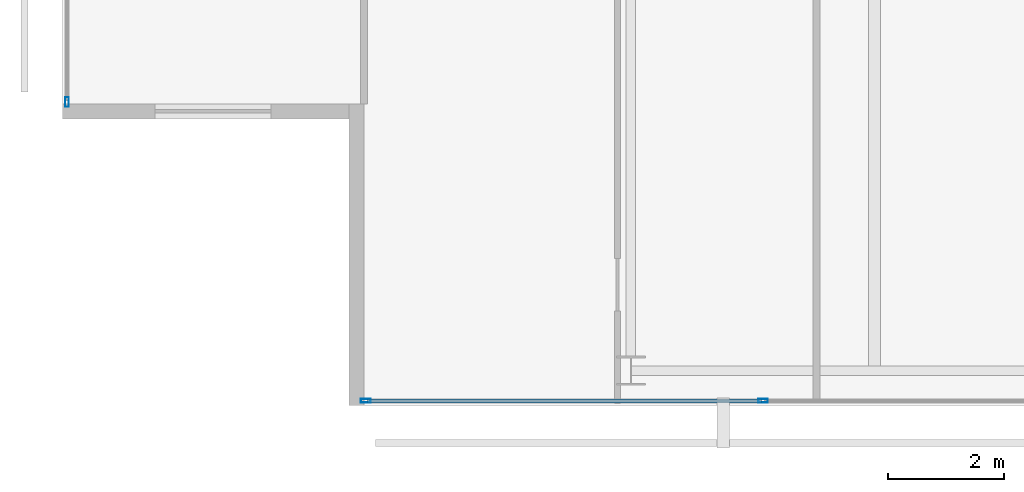
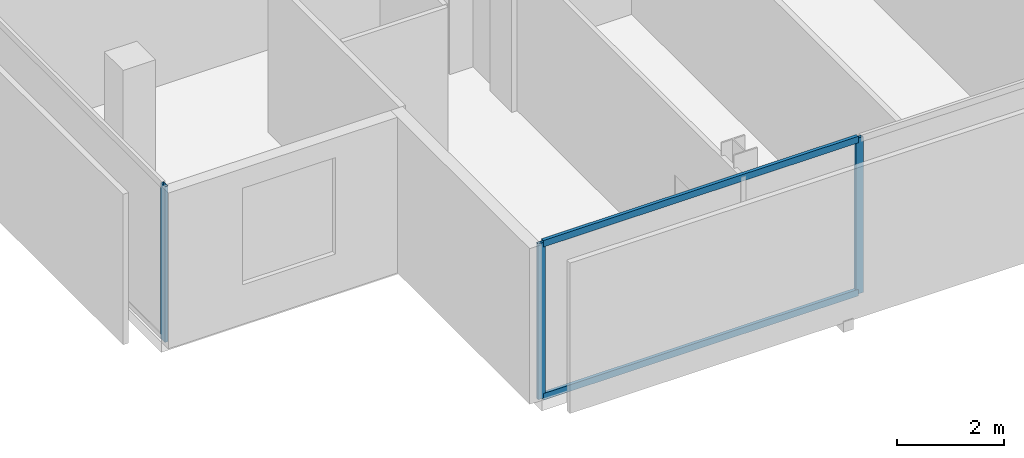
# One storey, part 2 of 26: 5 members, 2 elements without a shape of their own.
"""IFC4 building model written with IfcOpenShell, lengths in metres."""

from ifc_helpers import new_model, si_unit, direction, frame, origin, origin_2d, place, context, subcontext, project, spatial, hollow_rectangle, extrude, material, layer, layer_set, material_profile, profile_set, type_object, element, aggregate, save


model = new_model("IFC4")

# Units and contexts
model_context = context("Model", 3, precision=1e-05, world=origin(), true_north=direction((0.0, 1.0)))
body_context = subcontext(model_context, "Body", "Model", "MODEL_VIEW")
ifc_project = project(units=[si_unit("LENGTHUNIT", "METRE"), si_unit("AREAUNIT", "SQUARE_METRE"), si_unit("VOLUMEUNIT", "CUBIC_METRE"), si_unit("PLANEANGLEUNIT", "RADIAN"), si_unit("MASSUNIT", "GRAM", prefix="KILO")], contexts=[model_context])

# Site, building, storey
site_placement = place(None, origin())
site = spatial("IfcSite", under=ifc_project, at=site_placement, CompositionType="ELEMENT")
building_placement = place(site_placement, origin())
building = spatial("IfcBuilding", under=site, at=building_placement, Name="Maruvema Waterfront Hotel and Observation Tower", CompositionType="ELEMENT")
storey_placement = place(building_placement, frame((0.0, 0.0, 312.550048828125)))
storey = spatial("IfcBuildingStorey", under=building, at=storey_placement, Name="L77", CompositionType="ELEMENT", Elevation=312.550048828125)

# Curtain wall, members
ifc_material_1 = material(Name="Anodised bronze aluminium and solar-control low-E IGU", Category="aluminium")
ifc_layer = layer(ifc_material_1, 0.159912109375, Name="Zone 3 Champagne Inner Thermal Curtain Wall System CW-04")
ifc_layer_set = layer_set([ifc_layer], Name="Anodised bronze aluminium and solar-control low-E IGU")
curtain_wall_type = type_object("IfcCurtainWallType", Name="Zone 3 Champagne Inner Thermal Curtain Wall System CW-04", PredefinedType="USERDEFINED", material=ifc_layer_set)
curtain_wall_1_placement = place(storey_placement, origin())
curtain_wall_1 = element("IfcCurtainWall", 1, at=curtain_wall_1_placement, inside=storey, type_object=curtain_wall_type, Name="L77 Curtain Wall CW-L77-S", ObjectType="UNITISED CURTAIN WALL", PredefinedType="USERDEFINED")
ifc_material_2 = material(Name="Anodised architectural bronze aluminium", Category="aluminium")
ifc_material_profile_1 = material_profile(ifc_material_2, hollow_rectangle(XDim=0.070068359375, YDim=0.14990234375, WallThickness=0.00390625, at=origin_2d()), Name="ALU-T70x150")
ifc_profile_set_1 = profile_set([ifc_material_profile_1], Name="Anodised architectural bronze aluminium")
member_type_1 = type_object("IfcMemberType", Name="Curtain Wall Horizontal Transom ALU-T70x150", PredefinedType="USERDEFINED", material=ifc_profile_set_1)
member_1_placement = place(storey_placement, frame((20.659912109375, 9.280029296875, 0.030029296875), z_axis=(1.0, 0.0, 0.0), x_axis=(0.0, 1.0, 0.0)))
member_1 = element("IfcMember", 2, at=member_1_placement, type_object=member_type_1, Name="CW-04 transom 1.1", ObjectType="TRANSOM", PredefinedType="USERDEFINED", context=body_context, shape_type="SweptSolid", body=[
    extrude(hollow_rectangle(XDim=0.070068359375, YDim=0.14990234375, WallThickness=0.00390625, at=origin_2d()), origin(), (0.0, 0.0, 1.0), 6.7900390625),
])
member_2_placement = place(storey_placement, frame((20.659912109375, 9.280029296875, 3.52001953125), z_axis=(1.0, 0.0, 0.0), x_axis=(0.0, 1.0, 0.0)))
member_2 = element("IfcMember", 3, at=member_2_placement, type_object=member_type_1, Name="CW-04 transom 1.2", ObjectType="TRANSOM", PredefinedType="USERDEFINED", context=body_context, shape_type="SweptSolid", body=[
    extrude(hollow_rectangle(XDim=0.070068359375, YDim=0.14990234375, WallThickness=0.00390625, at=origin_2d()), origin(), (0.0, 0.0, 1.0), 6.7900390625),
])
ifc_material_3 = material(Name="Anodised architectural bronze aluminium", Category="aluminium")
ifc_material_profile_2 = material_profile(ifc_material_3, hollow_rectangle(XDim=0.06494140625, YDim=0.1650390625, WallThickness=0.00390625, at=origin_2d()), Name="ALU-M65x165")
ifc_profile_set_2 = profile_set([ifc_material_profile_2], Name="Anodised architectural bronze aluminium")
member_type_2 = type_object("IfcMemberType", Name="Curtain Wall Primary Mullion ALU-M65x165", PredefinedType="MULLION", material=ifc_profile_set_2)
member_3_placement = place(storey_placement, frame((20.6298828125, 9.280029296875, 0.0), z_axis=(0.0, 0.0, 1.0), x_axis=(0.0, 1.0, 0.0)))
member_3 = element("IfcMember", 4, at=member_3_placement, type_object=member_type_2, Name="CW-04 mullion 1", PredefinedType="MULLION", context=body_context, shape_type="SweptSolid", body=[
    extrude(hollow_rectangle(XDim=0.06494140625, YDim=0.1650390625, WallThickness=0.00390625, at=origin_2d()), origin(), (0.0, 0.0, 1.0), 3.550048828125),
])
member_4_placement = place(storey_placement, frame((27.47998046875, 9.280029296875, 0.0), z_axis=(0.0, 0.0, 1.0), x_axis=(0.0, 1.0, 0.0)))
member_4 = element("IfcMember", 5, at=member_4_placement, type_object=member_type_2, Name="CW-04 mullion 2", PredefinedType="MULLION", context=body_context, shape_type="SweptSolid", body=[
    extrude(hollow_rectangle(XDim=0.06494140625, YDim=0.1650390625, WallThickness=0.00390625, at=origin_2d()), origin(), (0.0, 0.0, 1.0), 3.550048828125),
])
aggregate(curtain_wall_1, [member_3, member_4, member_1, member_2])

# Curtain wall, member
curtain_wall_2_placement = place(storey_placement, origin())
curtain_wall_2 = element("IfcCurtainWall", 6, at=curtain_wall_2_placement, inside=storey, type_object=curtain_wall_type, Name="L77 Curtain Wall CW-L77-W", ObjectType="UNITISED CURTAIN WALL", PredefinedType="USERDEFINED")
member_5_placement = place(storey_placement, frame((15.47998046875, 14.429931640625, 0.0), z_axis=(0.0, 0.0, 1.0), x_axis=(1.0, 0.0, 0.0)))
member_5 = element("IfcMember", 7, at=member_5_placement, type_object=member_type_2, Name="CW-04 mullion 6", PredefinedType="MULLION", context=body_context, shape_type="SweptSolid", body=[
    extrude(hollow_rectangle(XDim=0.06494140625, YDim=0.1650390625, WallThickness=0.00390625, at=origin_2d()), origin(), (0.0, 0.0, 1.0), 3.550048828125),
])
aggregate(curtain_wall_2, [member_5])

save(model, "model.ifc")
